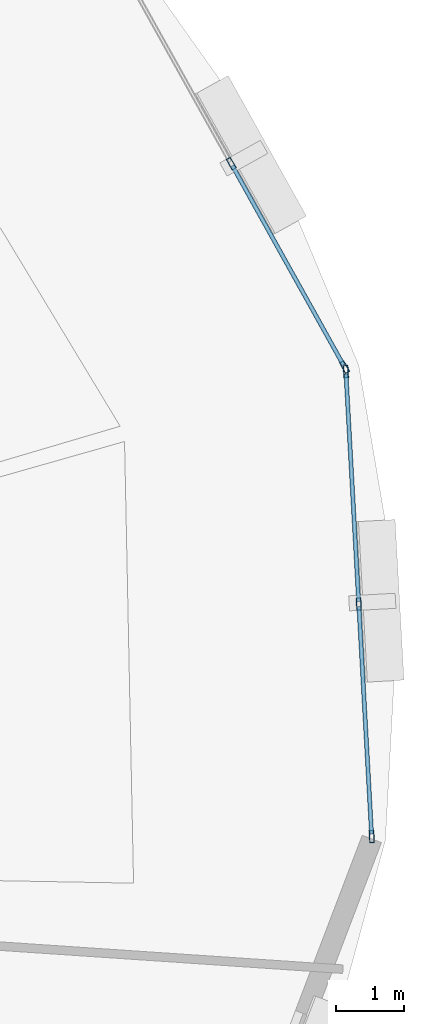
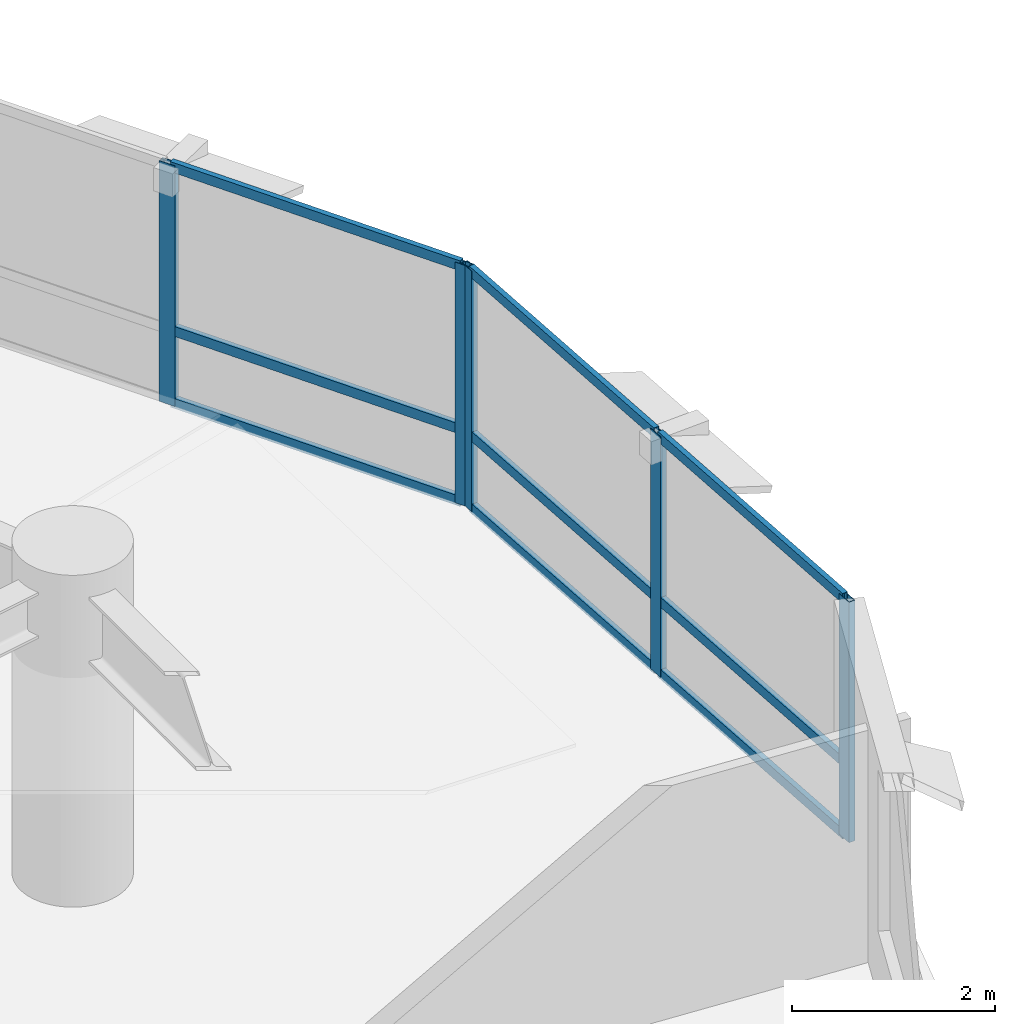
# One storey, part 6 of 15: 14 members, 2 elements without a shape of their own.
"""IFC4 building model written with IfcOpenShell, lengths in metres."""

from ifc_helpers import new_model, si_unit, direction, frame, origin, origin_2d, place, context, subcontext, project, spatial, hollow_rectangle, extrude, material, layer, layer_set, material_profile, profile_set, type_object, element, aggregate, save


model = new_model("IFC4")

# Units and contexts
model_context = context("Model", 3, precision=1e-05, world=origin(), true_north=direction((0.0, 1.0)))
body_context = subcontext(model_context, "Body", "Model", "MODEL_VIEW")
ifc_project = project(units=[si_unit("LENGTHUNIT", "METRE"), si_unit("AREAUNIT", "SQUARE_METRE"), si_unit("VOLUMEUNIT", "CUBIC_METRE"), si_unit("PLANEANGLEUNIT", "RADIAN"), si_unit("MASSUNIT", "GRAM", prefix="KILO"), si_unit("THERMODYNAMICTEMPERATUREUNIT", "KELVIN"), si_unit("POWERUNIT", "WATT")], contexts=[model_context])

# Site, building, storey
site_placement = place(None, origin())
site = spatial("IfcSite", under=ifc_project, at=site_placement, CompositionType="ELEMENT")
building_placement = place(site_placement, origin())
building = spatial("IfcBuilding", under=site, at=building_placement, Name="Ocrelia Relay Tower", CompositionType="ELEMENT")
storey_placement = place(building_placement, frame((0.0, 0.0, 101.800048828125)))
storey = spatial("IfcBuildingStorey", under=building, at=storey_placement, Name="L23", CompositionType="ELEMENT", Elevation=101.800048828125)

# Curtain wall, members
ifc_material_1 = material(Name="Aluminium and solar-control low-E glass", Category="aluminium")
ifc_layer = layer(ifc_material_1, 0.179931640625, Name="Aluminium and solar-control low-E glass")
ifc_layer_set = layer_set([ifc_layer], Name="Aluminium and solar-control low-E glass")
curtain_wall_type = type_object("IfcCurtainWallType", Name="CW-SYS-Z2-SWIT", PredefinedType="NOTDEFINED", material=ifc_layer_set)
curtain_wall_1_placement = place(storey_placement, origin())
curtain_wall_1 = element("IfcCurtainWall", 1, at=curtain_wall_1_placement, inside=storey, type_object=curtain_wall_type, Name="L23 Elliptical Tower Curtain Wall Bay 01", PredefinedType="NOTDEFINED")
ifc_material_2 = material(Name="Anodised bronze aluminium", Category="aluminium")
ifc_material_profile_1 = material_profile(ifc_material_2, hollow_rectangle(XDim=0.070068359375, YDim=0.179931640625, WallThickness=0.006103515625, at=origin_2d()), Name="CW-MUL-180x70")
ifc_profile_set_1 = profile_set([ifc_material_profile_1], Name="Anodised bronze aluminium")
member_type_1 = type_object("IfcMemberType", Name="CW-SYS-Z2-SWIT-MUL", PredefinedType="MULLION", material=ifc_profile_set_1)
member_1_placement = place(storey_placement, frame((58.57275390625, 33.1513671875, 0.0), z_axis=(0.0, 0.0, 1.0), x_axis=(-0.873611590369, -0.486623868273, 0.0)))
member_1 = element("IfcMember", 2, at=member_1_placement, type_object=member_type_1, Name="CW-Z2 mullion 1", PredefinedType="MULLION", context=body_context, shape_type="SweptSolid", body=[
    extrude(hollow_rectangle(XDim=0.070068359375, YDim=0.179931640625, WallThickness=0.006103515625, at=origin_2d()), origin(), (0.0, 0.0, 1.0), 2.89990234375),
])
member_2_placement = place(storey_placement, frame((56.916015625, 36.12548828125, 0.0), z_axis=(0.0, 0.0, 1.0), x_axis=(-0.873611590369, -0.486623868273, 0.0)))
member_2 = element("IfcMember", 3, at=member_2_placement, type_object=member_type_1, Name="CW-Z2 mullion 2", PredefinedType="MULLION", context=body_context, shape_type="SweptSolid", body=[
    extrude(hollow_rectangle(XDim=0.070068359375, YDim=0.179931640625, WallThickness=0.006103515625, at=origin_2d()), origin(), (0.0, 0.0, 1.0), 2.89990234375),
])

curtain_wall_2_placement = place(storey_placement, origin())
curtain_wall_2 = element("IfcCurtainWall", 4, at=curtain_wall_2_placement, inside=storey, type_object=curtain_wall_type, Name="L23 Elliptical Tower Curtain Wall Bay 18", PredefinedType="NOTDEFINED")
member_3_placement = place(storey_placement, frame((58.969482421875, 26.287109375, 0.0), z_axis=(0.0, 0.0, 1.0), x_axis=(-0.998459413762, -0.055486927026, 0.0)))
member_3 = element("IfcMember", 5, at=member_3_placement, type_object=member_type_1, Name="CW-Z2 mullion 1", PredefinedType="MULLION", context=body_context, shape_type="SweptSolid", body=[
    extrude(hollow_rectangle(XDim=0.070068359375, YDim=0.179931640625, WallThickness=0.006103515625, at=origin_2d()), origin(), (0.0, 0.0, 1.0), 2.89990234375),
])
member_4_placement = place(storey_placement, frame((58.780517578125, 29.6865234375, 0.0), z_axis=(0.0, 0.0, 1.0), x_axis=(-0.998459413762, -0.055486927026, 0.0)))
member_4 = element("IfcMember", 6, at=member_4_placement, type_object=member_type_1, Name="CW-Z2 mullion 2", PredefinedType="MULLION", context=body_context, shape_type="SweptSolid", body=[
    extrude(hollow_rectangle(XDim=0.070068359375, YDim=0.179931640625, WallThickness=0.006103515625, at=origin_2d()), origin(), (0.0, 0.0, 1.0), 2.89990234375),
])
member_5_placement = place(storey_placement, frame((58.591552734375, 33.085693359375, 0.0), z_axis=(0.0, 0.0, 1.0), x_axis=(-0.998459413762, -0.055486927026, 0.0)))
member_5 = element("IfcMember", 7, at=member_5_placement, type_object=member_type_1, Name="CW-Z2 mullion 3", PredefinedType="MULLION", context=body_context, shape_type="SweptSolid", body=[
    extrude(hollow_rectangle(XDim=0.070068359375, YDim=0.179931640625, WallThickness=0.006103515625, at=origin_2d()), origin(), (0.0, 0.0, 1.0), 2.89990234375),
])

# Member
ifc_material_profile_2 = material_profile(ifc_material_2, hollow_rectangle(XDim=0.06005859375, YDim=0.1201171875, WallThickness=0.0048828125, at=origin_2d()), Name="CW-TRN-120x60")
ifc_profile_set_2 = profile_set([ifc_material_profile_2], Name="Anodised bronze aluminium")
member_type_2 = type_object("IfcMemberType", Name="CW-SYS-Z2-SWIT-TRN", PredefinedType="USERDEFINED", material=ifc_profile_set_2)
member_6_placement = place(storey_placement, frame((58.5556640625, 33.181884765625, 0.030029296875), z_axis=(-0.486655864071, 0.873593767128, 0.0), x_axis=(-0.873593767128, -0.486655864071, 0.0)))
member_6 = element("IfcMember", 8, at=member_6_placement, type_object=member_type_2, Name="CW-Z2 transom 1.1", ObjectType="TRANSOM", PredefinedType="USERDEFINED", context=body_context, shape_type="SweptSolid", body=[
    extrude(hollow_rectangle(XDim=0.06005859375, YDim=0.1201171875, WallThickness=0.0048828125, at=origin_2d()), origin(), (0.0, 0.0, 1.0), 3.334716796875),
])

member_7_placement = place(storey_placement, frame((58.5556640625, 33.181884765625, 0.89990234375), z_axis=(-0.486655864071, 0.873593767128, 0.0), x_axis=(-0.873593767128, -0.486655864071, 0.0)))
member_7 = element("IfcMember", 9, at=member_7_placement, type_object=member_type_2, Name="CW-Z2 transom 1.2", ObjectType="TRANSOM", PredefinedType="USERDEFINED", context=body_context, shape_type="SweptSolid", body=[
    extrude(hollow_rectangle(XDim=0.06005859375, YDim=0.1201171875, WallThickness=0.0048828125, at=origin_2d()), origin(), (0.0, 0.0, 1.0), 3.334716796875),
])

member_8_placement = place(storey_placement, frame((58.5556640625, 33.181884765625, 2.869873046875), z_axis=(-0.486655864071, 0.873593767128, 0.0), x_axis=(-0.873593767128, -0.486655864071, 0.0)))
member_8 = element("IfcMember", 10, at=member_8_placement, type_object=member_type_2, Name="CW-Z2 transom 1.3", ObjectType="TRANSOM", PredefinedType="USERDEFINED", context=body_context, shape_type="SweptSolid", body=[
    extrude(hollow_rectangle(XDim=0.06005859375, YDim=0.1201171875, WallThickness=0.0048828125, at=origin_2d()), origin(), (0.0, 0.0, 1.0), 3.334716796875),
])

aggregate(curtain_wall_1, [member_1, member_2, member_6, member_7, member_8])

member_9_placement = place(storey_placement, frame((58.967529296875, 26.322021484375, 0.030029296875), z_axis=(-0.055494348364, 0.998459001311, 0.0), x_axis=(-0.998459001311, -0.055494348364, 0.0)))
member_9 = element("IfcMember", 11, at=member_9_placement, type_object=member_type_2, Name="CW-Z2 transom 1.1", ObjectType="TRANSOM", PredefinedType="USERDEFINED", context=body_context, shape_type="SweptSolid", body=[
    extrude(hollow_rectangle(XDim=0.06005859375, YDim=0.1201171875, WallThickness=0.0048828125, at=origin_2d()), origin(), (0.0, 0.0, 1.0), 3.334716796875),
])

member_10_placement = place(storey_placement, frame((58.967529296875, 26.322021484375, 0.89990234375), z_axis=(-0.055494348364, 0.998459001311, 0.0), x_axis=(-0.998459001311, -0.055494348364, 0.0)))
member_10 = element("IfcMember", 12, at=member_10_placement, type_object=member_type_2, Name="CW-Z2 transom 1.2", ObjectType="TRANSOM", PredefinedType="USERDEFINED", context=body_context, shape_type="SweptSolid", body=[
    extrude(hollow_rectangle(XDim=0.06005859375, YDim=0.1201171875, WallThickness=0.0048828125, at=origin_2d()), origin(), (0.0, 0.0, 1.0), 3.334716796875),
])

member_11_placement = place(storey_placement, frame((58.967529296875, 26.322021484375, 2.869873046875), z_axis=(-0.055494348364, 0.998459001311, 0.0), x_axis=(-0.998459001311, -0.055494348364, 0.0)))
member_11 = element("IfcMember", 13, at=member_11_placement, type_object=member_type_2, Name="CW-Z2 transom 1.3", ObjectType="TRANSOM", PredefinedType="USERDEFINED", context=body_context, shape_type="SweptSolid", body=[
    extrude(hollow_rectangle(XDim=0.06005859375, YDim=0.1201171875, WallThickness=0.0048828125, at=origin_2d()), origin(), (0.0, 0.0, 1.0), 3.334716796875),
])

member_12_placement = place(storey_placement, frame((58.778564453125, 29.721435546875, 0.030029296875), z_axis=(-0.055498405226, 0.998458775823, 0.0), x_axis=(-0.998458775823, -0.055498405226, 0.0)))
member_12 = element("IfcMember", 14, at=member_12_placement, type_object=member_type_2, Name="CW-Z2 transom 2.1", ObjectType="TRANSOM", PredefinedType="USERDEFINED", context=body_context, shape_type="SweptSolid", body=[
    extrude(hollow_rectangle(XDim=0.06005859375, YDim=0.1201171875, WallThickness=0.0048828125, at=origin_2d()), origin(), (0.0, 0.0, 1.0), 3.33447265625),
])

member_13_placement = place(storey_placement, frame((58.778564453125, 29.721435546875, 0.89990234375), z_axis=(-0.055498405226, 0.998458775823, 0.0), x_axis=(-0.998458775823, -0.055498405226, 0.0)))
member_13 = element("IfcMember", 15, at=member_13_placement, type_object=member_type_2, Name="CW-Z2 transom 2.2", ObjectType="TRANSOM", PredefinedType="USERDEFINED", context=body_context, shape_type="SweptSolid", body=[
    extrude(hollow_rectangle(XDim=0.06005859375, YDim=0.1201171875, WallThickness=0.0048828125, at=origin_2d()), origin(), (0.0, 0.0, 1.0), 3.33447265625),
])

member_14_placement = place(storey_placement, frame((58.778564453125, 29.721435546875, 2.869873046875), z_axis=(-0.055498405226, 0.998458775823, 0.0), x_axis=(-0.998458775823, -0.055498405226, 0.0)))
member_14 = element("IfcMember", 16, at=member_14_placement, type_object=member_type_2, Name="CW-Z2 transom 2.3", ObjectType="TRANSOM", PredefinedType="USERDEFINED", context=body_context, shape_type="SweptSolid", body=[
    extrude(hollow_rectangle(XDim=0.06005859375, YDim=0.1201171875, WallThickness=0.0048828125, at=origin_2d()), origin(), (0.0, 0.0, 1.0), 3.33447265625),
])

aggregate(curtain_wall_2, [member_3, member_4, member_5, member_9, member_10, member_11, member_12, member_13, member_14])

save(model, "model.ifc")
